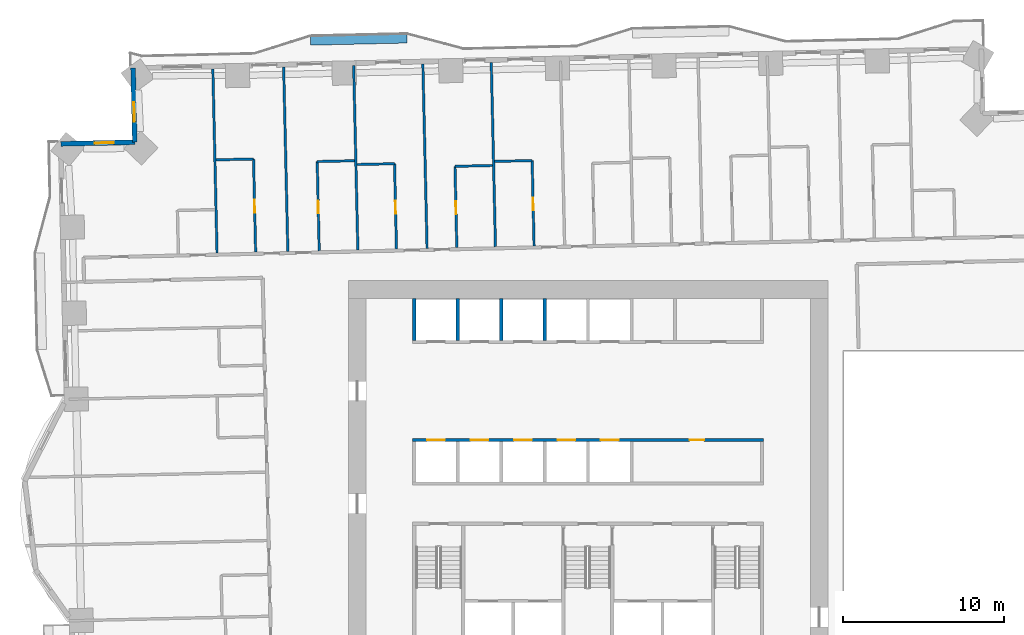
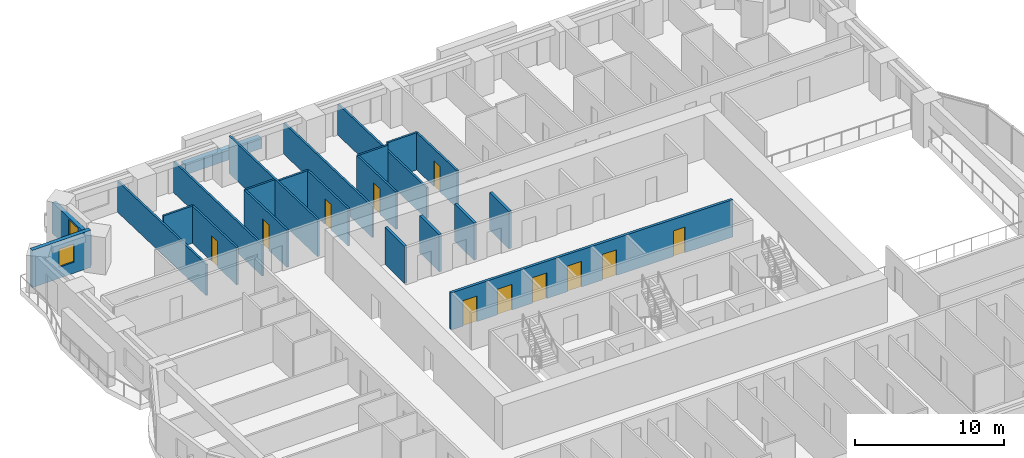
# One storey, part 9 of 16: 23 walls, 11 doors, 2 windows, 13 openings.
"""IFC4 building model written with IfcOpenShell, lengths in metres."""

from ifc_helpers import new_model, si_unit, direction, frame, frame_2d, origin, place, context, subcontext, project, spatial, rectangle, extrude, material, layer, layer_set, type_object, element, fill, save


model = new_model("IFC4")

# Units and contexts
model_context = context("Model", 3, precision=1e-05, world=origin(), true_north=direction((0.0, 1.0)))
body_context = subcontext(model_context, "Body", "Model", "MODEL_VIEW")
ifc_project = project(units=[si_unit("LENGTHUNIT", "METRE"), si_unit("AREAUNIT", "SQUARE_METRE"), si_unit("VOLUMEUNIT", "CUBIC_METRE"), si_unit("PLANEANGLEUNIT", "RADIAN"), si_unit("MASSUNIT", "GRAM", prefix="KILO")], contexts=[model_context])

# Site, building, storey
site_placement = place(None, origin())
site = spatial("IfcSite", under=ifc_project, at=site_placement, CompositionType="ELEMENT")
building_placement = place(site_placement, origin())
building = spatial("IfcBuilding", under=site, at=building_placement, Name="Mangrove Gate Tower", CompositionType="ELEMENT")
storey_placement = place(building_placement, frame((0.0, 0.0, 44.89990234375)))
storey = spatial("IfcBuildingStorey", under=building, at=storey_placement, Name="L10", CompositionType="ELEMENT", Elevation=44.89990234375)

# Wall, openings, doors
ifc_material_1 = material(Name="Concrete C70/85", Category="concrete")
ifc_layer_1 = layer(ifc_material_1, 0.199951171875)
ifc_layer_set_1 = layer_set([ifc_layer_1], Name="Core shaft wall 200 C70/85")
wall_type_1 = type_object("IfcWallType", Name="Core shaft wall 200 C70/85", PredefinedType="SHEAR", material=ifc_layer_set_1)
wall_1_placement = place(storey_placement, frame((-10.89990234375, 2.0, 0.0), z_axis=(0.0, 0.0, 1.0), x_axis=(1.0, 0.0, 0.0)))
wall_1 = element("IfcWall", 1, at=wall_1_placement, inside=storey, type_object=wall_type_1, Name="WALL-L10-CORE-7", PredefinedType="SHEAR", context=body_context, shape_type="SweptSolid", body=[
    extrude(rectangle(XDim=21.7998046875, YDim=0.199951171875, at=frame_2d((10.89990234375, 0.0))), origin(), (0.0, 0.0, 1.0), 3.050048828125),
])
opening_1_placement = place(wall_1_placement, frame((0.89990234375, 0.0, 0.0)))
opening_1 = element("IfcOpeningElement", 2, at=opening_1_placement, cuts=wall_1, Name="Opening LD", PredefinedType="OPENING", context=body_context, shape_type="SweptSolid", body=[
    extrude(rectangle(XDim=1.10009765625, YDim=2.10009765625, at=frame_2d((0.550048828125, 1.050048828125))), frame((0.0, 0.10986328125, 0.0), z_axis=(0.0, -1.0, 0.0), x_axis=(1.0, 0.0, 0.0)), (0.0, 0.0, 1.0), 0.219970703125),
])
opening_2_placement = place(wall_1_placement, frame((3.60009765625, 0.0, 0.0)))
opening_2 = element("IfcOpeningElement", 3, at=opening_2_placement, cuts=wall_1, Name="Opening LD", PredefinedType="OPENING", context=body_context, shape_type="SweptSolid", body=[
    extrude(rectangle(XDim=1.10009765625, YDim=2.10009765625, at=frame_2d((0.550048828125, 1.050048828125))), frame((0.0, 0.10986328125, 0.0), z_axis=(0.0, -1.0, 0.0), x_axis=(1.0, 0.0, 0.0)), (0.0, 0.0, 1.0), 0.219970703125),
])
opening_3_placement = place(wall_1_placement, frame((6.300048828125, 0.0, 0.0)))
opening_3 = element("IfcOpeningElement", 4, at=opening_3_placement, cuts=wall_1, Name="Opening LD", PredefinedType="OPENING", context=body_context, shape_type="SweptSolid", body=[
    extrude(rectangle(XDim=1.10009765625, YDim=2.10009765625, at=frame_2d((0.550048828125, 1.050048828125))), frame((0.0, 0.10986328125, 0.0), z_axis=(0.0, -1.0, 0.0), x_axis=(1.0, 0.0, 0.0)), (0.0, 0.0, 1.0), 0.219970703125),
])
opening_4_placement = place(wall_1_placement, frame((9.0, 0.0, 0.0)))
opening_4 = element("IfcOpeningElement", 5, at=opening_4_placement, cuts=wall_1, Name="Opening LD", PredefinedType="OPENING", context=body_context, shape_type="SweptSolid", body=[
    extrude(rectangle(XDim=1.10009765625, YDim=2.10009765625, at=frame_2d((0.550048828125, 1.050048828125))), frame((0.0, 0.10986328125, 0.0), z_axis=(0.0, -1.0, 0.0), x_axis=(1.0, 0.0, 0.0)), (0.0, 0.0, 1.0), 0.219970703125),
])
opening_5_placement = place(wall_1_placement, frame((11.699951171875, 0.0, 0.0)))
opening_5 = element("IfcOpeningElement", 6, at=opening_5_placement, cuts=wall_1, Name="Opening LD", PredefinedType="OPENING", context=body_context, shape_type="SweptSolid", body=[
    extrude(rectangle(XDim=1.10009765625, YDim=2.10009765625, at=frame_2d((0.550048828125, 1.050048828125))), frame((0.0, 0.10986328125, 0.0), z_axis=(0.0, -1.0, 0.0), x_axis=(1.0, 0.0, 0.0)), (0.0, 0.0, 1.0), 0.219970703125),
])
opening_6_placement = place(wall_1_placement, frame((17.199951171875, 0.0, 0.0)))
opening_6 = element("IfcOpeningElement", 7, at=opening_6_placement, cuts=wall_1, Name="Opening RD", PredefinedType="OPENING", context=body_context, shape_type="SweptSolid", body=[
    extrude(rectangle(XDim=0.89990234375, YDim=2.10009765625, at=frame_2d((0.449951171875, 1.050048828125))), frame((0.0, 0.10986328125, 0.0), z_axis=(0.0, -1.0, 0.0), x_axis=(1.0, 0.0, 0.0)), (0.0, 0.0, 1.0), 0.219970703125),
])
ifc_material_2 = material(Name="Stainless steel 316", Category="steel")
door_type_1 = type_object("IfcDoorType", Name="Lift landing door 1100x2100", OperationType="SLIDING_TO_LEFT", PredefinedType="DOOR", material=ifc_material_2)
door_1_placement = place(opening_1_placement, origin())
door_1 = element("IfcDoor", 8, at=door_1_placement, inside=storey, type_object=door_type_1, Name="Landing door LD P01", OperationType="SLIDING_TO_LEFT", OverallHeight=2.10009765625, OverallWidth=1.10009765625, PredefinedType="DOOR", context=body_context, shape_type="SweptSolid", body=[
    extrude(rectangle(XDim=1.10009765625, YDim=2.10009765625, at=frame_2d((0.550048828125, 1.050048828125))), frame((0.0, 0.02490234375, 0.0), z_axis=(0.0, -1.0, 0.0), x_axis=(1.0, 0.0, 0.0)), (0.0, 0.0, 1.0), 0.050048828125),
])
fill(opening_1, door_1)
door_2_placement = place(opening_2_placement, origin())
door_2 = element("IfcDoor", 9, at=door_2_placement, inside=storey, type_object=door_type_1, Name="Landing door LD P02", OperationType="SLIDING_TO_LEFT", OverallHeight=2.10009765625, OverallWidth=1.10009765625, PredefinedType="DOOR", context=body_context, shape_type="SweptSolid", body=[
    extrude(rectangle(XDim=1.10009765625, YDim=2.10009765625, at=frame_2d((0.550048828125, 1.050048828125))), frame((0.0, 0.02490234375, 0.0), z_axis=(0.0, -1.0, 0.0), x_axis=(1.0, 0.0, 0.0)), (0.0, 0.0, 1.0), 0.050048828125),
])
fill(opening_2, door_2)
door_3_placement = place(opening_3_placement, origin())
door_3 = element("IfcDoor", 10, at=door_3_placement, inside=storey, type_object=door_type_1, Name="Landing door LD P03", OperationType="SLIDING_TO_LEFT", OverallHeight=2.10009765625, OverallWidth=1.10009765625, PredefinedType="DOOR", context=body_context, shape_type="SweptSolid", body=[
    extrude(rectangle(XDim=1.10009765625, YDim=2.10009765625, at=frame_2d((0.550048828125, 1.050048828125))), frame((0.0, 0.02490234375, 0.0), z_axis=(0.0, -1.0, 0.0), x_axis=(1.0, 0.0, 0.0)), (0.0, 0.0, 1.0), 0.050048828125),
])
fill(opening_3, door_3)
door_4_placement = place(opening_4_placement, origin())
door_4 = element("IfcDoor", 11, at=door_4_placement, inside=storey, type_object=door_type_1, Name="Landing door LD P04", OperationType="SLIDING_TO_LEFT", OverallHeight=2.10009765625, OverallWidth=1.10009765625, PredefinedType="DOOR", context=body_context, shape_type="SweptSolid", body=[
    extrude(rectangle(XDim=1.10009765625, YDim=2.10009765625, at=frame_2d((0.550048828125, 1.050048828125))), frame((0.0, 0.02490234375, 0.0), z_axis=(0.0, -1.0, 0.0), x_axis=(1.0, 0.0, 0.0)), (0.0, 0.0, 1.0), 0.050048828125),
])
fill(opening_4, door_4)
door_5_placement = place(opening_5_placement, origin())
door_5 = element("IfcDoor", 12, at=door_5_placement, inside=storey, type_object=door_type_1, Name="Landing door LD P05", OperationType="SLIDING_TO_LEFT", OverallHeight=2.10009765625, OverallWidth=1.10009765625, PredefinedType="DOOR", context=body_context, shape_type="SweptSolid", body=[
    extrude(rectangle(XDim=1.10009765625, YDim=2.10009765625, at=frame_2d((0.550048828125, 1.050048828125))), frame((0.0, 0.02490234375, 0.0), z_axis=(0.0, -1.0, 0.0), x_axis=(1.0, 0.0, 0.0)), (0.0, 0.0, 1.0), 0.050048828125),
])
fill(opening_5, door_5)
ifc_material_3 = material(Name="Fire-rated steel door set", Category="steel")
door_type_2 = type_object("IfcDoorType", Name="Riser door FD30S 900x2100", OperationType="SINGLE_SWING_LEFT", PredefinedType="DOOR", material=ifc_material_3)
door_6_placement = place(opening_6_placement, origin())
door_6 = element("IfcDoor", 13, at=door_6_placement, inside=storey, type_object=door_type_2, Name="Riser door Electrical room", OperationType="SINGLE_SWING_LEFT", OverallHeight=2.10009765625, OverallWidth=0.89990234375, PredefinedType="DOOR", context=body_context, shape_type="SweptSolid", body=[
    extrude(rectangle(XDim=0.89990234375, YDim=2.10009765625, at=frame_2d((0.449951171875, 1.050048828125))), frame((0.0, 0.02490234375, 0.0), z_axis=(0.0, -1.0, 0.0), x_axis=(1.0, 0.0, 0.0)), (0.0, 0.0, 1.0), 0.050048828125),
])
fill(opening_6, door_6)

# Walls
for number, where, z_axis, x_axis, name in (
    (14, (-10.800048828125, 8.199951171875, 0.0), (0.0, 0.0, 1.0), (0.0, 1.0, 0.0), "WALL-L10-CORE-26"),
    (15, (-8.10009765625, 8.199951171875, 0.0), (0.0, 0.0, 1.0), (0.0, 1.0, 0.0), "WALL-L10-CORE-27"),
    (16, (-5.39990234375, 8.199951171875, 0.0), (0.0, 0.0, 1.0), (0.0, 1.0, 0.0), "WALL-L10-CORE-28"),
    (17, (-2.699951171875, 8.199951171875, 0.0), (0.0, 0.0, 1.0), (0.0, 1.0, 0.0), "WALL-L10-CORE-29"),
):
    element("IfcWall", number, at=place(storey_placement, frame(where, z_axis=z_axis, x_axis=x_axis)), inside=storey, type_object=wall_type_1, Name=name, PredefinedType="SHEAR", context=body_context, shape_type="SweptSolid", body=[
        extrude(rectangle(XDim=2.60009765625, YDim=0.199951171875, at=frame_2d((1.300048828125, 0.0))), origin(), (0.0, 0.0, 1.0), 3.050048828125),
    ])

# Wall, opening, window
ifc_material_4 = material(Name="Limestone", Category="masonry")
ifc_layer_2 = layer(ifc_material_4, 0.0400390625, Name="Limestone cladding")
ifc_material_5 = material(Name="Ventilated air gap")
ifc_layer_3 = layer(ifc_material_5, 0.0400390625, Name="Ventilated cavity")
ifc_material_6 = material(Name="Mineral wool insulation")
ifc_layer_4 = layer(ifc_material_6, 0.06005859375, Name="Insulation")
ifc_material_7 = material(Name="Breather membrane")
ifc_layer_5 = layer(ifc_material_7, 0.001953125, Name="Breather membrane")
ifc_material_8 = material(Name="Concrete C20/25 blockwork", Category="masonry")
ifc_layer_6 = layer(ifc_material_8, 0.14990234375, Name="Blockwork backing wall")
ifc_material_9 = material(Name="Gypsum plaster")
ifc_layer_7 = layer(ifc_material_9, 0.008056640625, Name="Internal plaster")
ifc_layer_set_2 = layer_set([ifc_layer_2, ifc_layer_3, ifc_layer_4, ifc_layer_5, ifc_layer_6, ifc_layer_7], Name="External wall 300 limestone cladding")
wall_type_2 = type_object("IfcWallType", Name="External wall 300 limestone cladding", PredefinedType="SOLIDWALL", material=ifc_layer_set_2)
wall_2_placement = place(storey_placement, frame((-28.263916015625, 25.10205078125, 0.0), z_axis=(0.0, 0.0, 1.0), x_axis=(0.022820258049, -0.999739584003, 0.0)))
wall_2 = element("IfcWall", 18, at=wall_2_placement, inside=storey, type_object=wall_type_2, Name="WALL-L10-W6", PredefinedType="SOLIDWALL", context=body_context, shape_type="SweptSolid", body=[
    extrude(rectangle(XDim=4.600341796875, YDim=0.300048828125, at=frame_2d((2.30029296875, 0.0))), origin(), (0.0, 0.0, 1.0), 2.550048828125),
])
opening_7_placement = place(wall_2_placement, frame((2.114013671875, 0.0, 0.89990234375)))
opening_7 = element("IfcOpeningElement", 19, at=opening_7_placement, cuts=wall_2, Name="Opening W1", PredefinedType="OPENING", context=body_context, shape_type="SweptSolid", body=[
    extrude(rectangle(XDim=1.199951171875, YDim=1.5, at=frame_2d((0.60009765625, 0.75))), frame((0.0, 0.159912109375, 0.0), z_axis=(0.0, -1.0, 0.0), x_axis=(1.0, 0.0, 0.0)), (0.0, 0.0, 1.0), 0.320068359375),
])
ifc_material_10 = material(Name="Aluminium frame with double-glazed low-e glass", Category="aluminium")
window_type = type_object("IfcWindowType", Name="Side lite 1200x1500", PartitioningType="SINGLE_PANEL", PredefinedType="WINDOW", material=ifc_material_10)
window_1_placement = place(opening_7_placement, origin())
window_1 = element("IfcWindow", 20, at=window_1_placement, inside=storey, type_object=window_type, Name="WIN-L10-W6-1", OverallHeight=1.5, OverallWidth=1.199951171875, PartitioningType="SINGLE_PANEL", PredefinedType="WINDOW", context=body_context, shape_type="SweptSolid", body=[
    extrude(rectangle(XDim=1.199951171875, YDim=1.5, at=frame_2d((0.60009765625, 0.75))), frame((0.0, 0.030029296875, 0.0), z_axis=(0.0, -1.0, 0.0), x_axis=(1.0, 0.0, 0.0)), (0.0, 0.0, 1.0), 0.06005859375),
])
fill(opening_7, window_1)

wall_3_placement = place(storey_placement, frame((-28.158935546875, 20.5029296875, 0.0), z_axis=(0.0, 0.0, 1.0), x_axis=(-0.999744404568, -0.02260808559, 0.0)))
wall_3 = element("IfcWall", 21, at=wall_3_placement, inside=storey, type_object=wall_type_2, Name="WALL-L10-N7", PredefinedType="SOLIDWALL", context=body_context, shape_type="SweptSolid", body=[
    extrude(rectangle(XDim=4.600341796875, YDim=0.300048828125, at=frame_2d((2.30029296875, 0.0))), origin(), (0.0, 0.0, 1.0), 3.050048828125),
])
opening_8_placement = place(wall_3_placement, frame((1.302001953125, 0.0, 0.89990234375)))
opening_8 = element("IfcOpeningElement", 22, at=opening_8_placement, cuts=wall_3, Name="Opening W1", PredefinedType="OPENING", context=body_context, shape_type="SweptSolid", body=[
    extrude(rectangle(XDim=1.199951171875, YDim=1.5, at=frame_2d((0.60009765625, 0.75))), frame((0.0, 0.159912109375, 0.0), z_axis=(0.0, -1.0, 0.0), x_axis=(1.0, 0.0, 0.0)), (0.0, 0.0, 1.0), 0.320068359375),
])
window_2_placement = place(opening_8_placement, origin())
window_2 = element("IfcWindow", 23, at=window_2_placement, inside=storey, type_object=window_type, Name="WIN-L10-N7-1", OverallHeight=1.5, OverallWidth=1.199951171875, PartitioningType="SINGLE_PANEL", PredefinedType="WINDOW", context=body_context, shape_type="SweptSolid", body=[
    extrude(rectangle(XDim=1.199951171875, YDim=1.5, at=frame_2d((0.60009765625, 0.75))), frame((0.0, 0.030029296875, 0.0), z_axis=(0.0, -1.0, 0.0), x_axis=(1.0, 0.0, 0.0)), (0.0, 0.0, 1.0), 0.06005859375),
])
fill(opening_8, window_2)

# Wall
ifc_material_11 = material(Name="Gypsum board on steel stud, EI 60", Category="steel")
ifc_layer_8 = layer(ifc_material_11, 0.14990234375)
ifc_layer_set_3 = layer_set([ifc_layer_8], Name="Party wall 150 EI 60")
wall_type_3 = type_object("IfcWallType", Name="Party wall 150 EI 60", PredefinedType="PARTITIONING", material=ifc_layer_set_3)
wall_4_placement = place(storey_placement, frame((-23.052001953125, 13.616943359375, 0.0), z_axis=(0.0, 0.0, 1.0), x_axis=(-0.022708327922, 0.999742132674, 0.0)))
element("IfcWall", 24, at=wall_4_placement, inside=storey, type_object=wall_type_3, Name="WALL-L10-063", PredefinedType="PARTITIONING", context=body_context, shape_type="SweptSolid", body=[
    extrude(rectangle(XDim=11.449951171875, YDim=0.14990234375, at=frame_2d((5.72509765625, 0.0))), origin(), (0.0, 0.0, 1.0), 2.550048828125),
])

# Wall, opening, door
wall_5_placement = place(storey_placement, frame((-20.653076171875, 13.672119140625, 0.0), z_axis=(0.0, 0.0, 1.0), x_axis=(-0.022603579342, 0.999744506462, 0.0)))
wall_5 = element("IfcWall", 25, at=wall_5_placement, inside=storey, type_object=wall_type_3, Name="WALL-L10-064", PredefinedType="PARTITIONING", context=body_context, shape_type="SweptSolid", body=[
    extrude(rectangle(XDim=5.789306640625, YDim=0.14990234375, at=frame_2d((2.89453125, 0.0))), origin(), (0.0, 0.0, 1.0), 3.050048828125),
])
opening_9_placement = place(wall_5_placement, frame((2.445068359375, 0.0, 0.0)))
opening_9 = element("IfcOpeningElement", 26, at=opening_9_placement, cuts=wall_5, Name="Opening ED", PredefinedType="OPENING", context=body_context, shape_type="SweptSolid", body=[
    extrude(rectangle(XDim=0.800048828125, YDim=2.10009765625, at=frame_2d((0.39990234375, 1.050048828125))), frame((0.0, 0.0849609375, 0.0), z_axis=(0.0, -1.0, 0.0), x_axis=(1.0, 0.0, 0.0)), (0.0, 0.0, 1.0), 0.169921875),
])
ifc_material_12 = material(Name="Timber door leaf", Category="wood")
door_type_3 = type_object("IfcDoorType", Name="En-suite door 800", OperationType="SINGLE_SWING_LEFT", PredefinedType="DOOR", material=ifc_material_12)
door_7_placement = place(opening_9_placement, origin())
door_7 = element("IfcDoor", 27, at=door_7_placement, inside=storey, type_object=door_type_3, Name="DOOR-L10-ENS-c519", OperationType="SINGLE_SWING_LEFT", OverallHeight=2.10009765625, OverallWidth=0.800048828125, PredefinedType="DOOR", context=body_context, shape_type="SweptSolid", body=[
    extrude(rectangle(XDim=0.800048828125, YDim=2.10009765625, at=frame_2d((0.39990234375, 1.050048828125))), frame((0.0, 0.02490234375, 0.0), z_axis=(0.0, -1.0, 0.0), x_axis=(1.0, 0.0, 0.0)), (0.0, 0.0, 1.0), 0.050048828125),
])
fill(opening_9, door_7)

# Wall
wall_6_placement = place(storey_placement, frame((-18.653076171875, 13.717041015625, 0.0), z_axis=(0.0, 0.0, 1.0), x_axis=(-0.022708327922, 0.999742132674, 0.0)))
element("IfcWall", 28, at=wall_6_placement, inside=storey, type_object=wall_type_3, Name="WALL-L10-065", PredefinedType="PARTITIONING", context=body_context, shape_type="SweptSolid", body=[
    extrude(rectangle(XDim=11.449951171875, YDim=0.14990234375, at=frame_2d((5.72509765625, 0.0))), origin(), (0.0, 0.0, 1.0), 2.550048828125),
])

# Wall, opening, door
wall_7_placement = place(storey_placement, frame((-16.7041015625, 13.760986328125, 0.0), z_axis=(0.0, 0.0, 1.0), x_axis=(-0.022561251624, 0.999745462568, 0.0)))
wall_7 = element("IfcWall", 29, at=wall_7_placement, inside=storey, type_object=wall_type_3, Name="WALL-L10-066", PredefinedType="PARTITIONING", context=body_context, shape_type="SweptSolid", body=[
    extrude(rectangle(XDim=5.54052734375, YDim=0.14990234375, at=frame_2d((2.770263671875, 0.0))), origin(), (0.0, 0.0, 1.0), 3.050048828125),
])
opening_10_placement = place(wall_7_placement, frame((2.320068359375, 0.0, 0.0)))
opening_10 = element("IfcOpeningElement", 30, at=opening_10_placement, cuts=wall_7, Name="Opening ED", PredefinedType="OPENING", context=body_context, shape_type="SweptSolid", body=[
    extrude(rectangle(XDim=0.800048828125, YDim=2.10009765625, at=frame_2d((0.39990234375, 1.050048828125))), frame((0.0, 0.0849609375, 0.0), z_axis=(0.0, -1.0, 0.0), x_axis=(1.0, 0.0, 0.0)), (0.0, 0.0, 1.0), 0.169921875),
])
door_8_placement = place(opening_10_placement, origin())
door_8 = element("IfcDoor", 31, at=door_8_placement, inside=storey, type_object=door_type_3, Name="DOOR-L10-ENS-c518", OperationType="SINGLE_SWING_RIGHT", OverallHeight=2.10009765625, OverallWidth=0.800048828125, PredefinedType="DOOR", context=body_context, shape_type="SweptSolid", body=[
    extrude(rectangle(XDim=0.800048828125, YDim=2.10009765625, at=frame_2d((0.39990234375, 1.050048828125))), frame((0.0, 0.02490234375, 0.0), z_axis=(0.0, -1.0, 0.0), x_axis=(1.0, 0.0, 0.0)), (0.0, 0.0, 1.0), 0.050048828125),
])
fill(opening_10, door_8)

# Wall
wall_8_placement = place(storey_placement, frame((-14.303955078125, 13.81591796875, 0.0), z_axis=(0.0, 0.0, 1.0), x_axis=(-0.022708327922, 0.999742132674, 0.0)))
element("IfcWall", 32, at=wall_8_placement, inside=storey, type_object=wall_type_3, Name="WALL-L10-067", PredefinedType="PARTITIONING", context=body_context, shape_type="SweptSolid", body=[
    extrude(rectangle(XDim=11.449951171875, YDim=0.14990234375, at=frame_2d((5.72509765625, 0.0))), origin(), (0.0, 0.0, 1.0), 3.050048828125),
])

# Wall, opening, door
wall_9_placement = place(storey_placement, frame((-11.905029296875, 13.8701171875, 0.0), z_axis=(0.0, 0.0, 1.0), x_axis=(-0.022616771387, 0.999744208111, 0.0)))
wall_9 = element("IfcWall", 33, at=wall_9_placement, inside=storey, type_object=wall_type_3, Name="WALL-L10-068", PredefinedType="PARTITIONING", context=body_context, shape_type="SweptSolid", body=[
    extrude(rectangle(XDim=5.30029296875, YDim=0.14990234375, at=frame_2d((2.650146484375, 0.0))), origin(), (0.0, 0.0, 1.0), 3.050048828125),
])
opening_11_placement = place(wall_9_placement, frame((2.199951171875, 0.0, 0.0)))
opening_11 = element("IfcOpeningElement", 34, at=opening_11_placement, cuts=wall_9, Name="Opening ED", PredefinedType="OPENING", context=body_context, shape_type="SweptSolid", body=[
    extrude(rectangle(XDim=0.800048828125, YDim=2.10009765625, at=frame_2d((0.39990234375, 1.050048828125))), frame((0.0, 0.0849609375, 0.0), z_axis=(0.0, -1.0, 0.0), x_axis=(1.0, 0.0, 0.0)), (0.0, 0.0, 1.0), 0.169921875),
])
door_9_placement = place(opening_11_placement, origin())
door_9 = element("IfcDoor", 35, at=door_9_placement, inside=storey, type_object=door_type_3, Name="DOOR-L10-ENS-c517", OperationType="SINGLE_SWING_LEFT", OverallHeight=2.10009765625, OverallWidth=0.800048828125, PredefinedType="DOOR", context=body_context, shape_type="SweptSolid", body=[
    extrude(rectangle(XDim=0.800048828125, YDim=2.10009765625, at=frame_2d((0.39990234375, 1.050048828125))), frame((0.0, 0.02490234375, 0.0), z_axis=(0.0, -1.0, 0.0), x_axis=(1.0, 0.0, 0.0)), (0.0, 0.0, 1.0), 0.050048828125),
])
fill(opening_11, door_9)

# Wall
wall_10_placement = place(storey_placement, frame((-10.0048828125, 13.9130859375, 0.0), z_axis=(0.0, 0.0, 1.0), x_axis=(-0.022706391805, 0.999742176649, 0.0)))
element("IfcWall", 36, at=wall_10_placement, inside=storey, type_object=wall_type_3, Name="WALL-L10-069", PredefinedType="PARTITIONING", context=body_context, shape_type="SweptSolid", body=[
    extrude(rectangle(XDim=11.450927734375, YDim=0.14990234375, at=frame_2d((5.7255859375, 0.0))), origin(), (0.0, 0.0, 1.0), 2.550048828125),
])

# Wall, opening, door
wall_11_placement = place(storey_placement, frame((-8.156005859375, 13.955078125, 0.0), z_axis=(0.0, 0.0, 1.0), x_axis=(-0.022576449265, 0.999745119487, 0.0)))
wall_11 = element("IfcWall", 37, at=wall_11_placement, inside=storey, type_object=wall_type_3, Name="WALL-L10-070", PredefinedType="PARTITIONING", context=body_context, shape_type="SweptSolid", body=[
    extrude(rectangle(XDim=5.050048828125, YDim=0.14990234375, at=frame_2d((2.52490234375, 0.0))), origin(), (0.0, 0.0, 1.0), 3.050048828125),
])
opening_12_placement = place(wall_11_placement, frame((2.074951171875, 0.0, 0.0)))
opening_12 = element("IfcOpeningElement", 38, at=opening_12_placement, cuts=wall_11, Name="Opening ED", PredefinedType="OPENING", context=body_context, shape_type="SweptSolid", body=[
    extrude(rectangle(XDim=0.800048828125, YDim=2.10009765625, at=frame_2d((0.39990234375, 1.050048828125))), frame((0.0, 0.0849609375, 0.0), z_axis=(0.0, -1.0, 0.0), x_axis=(1.0, 0.0, 0.0)), (0.0, 0.0, 1.0), 0.169921875),
])
door_10_placement = place(opening_12_placement, origin())
door_10 = element("IfcDoor", 39, at=door_10_placement, inside=storey, type_object=door_type_3, Name="DOOR-L10-ENS-c416", OperationType="SINGLE_SWING_RIGHT", OverallHeight=2.10009765625, OverallWidth=0.800048828125, PredefinedType="DOOR", context=body_context, shape_type="SweptSolid", body=[
    extrude(rectangle(XDim=0.800048828125, YDim=2.10009765625, at=frame_2d((0.39990234375, 1.050048828125))), frame((0.0, 0.02490234375, 0.0), z_axis=(0.0, -1.0, 0.0), x_axis=(1.0, 0.0, 0.0)), (0.0, 0.0, 1.0), 0.050048828125),
])
fill(opening_12, door_10)

# Wall
wall_12_placement = place(storey_placement, frame((-5.756103515625, 14.010009765625, 0.0), z_axis=(0.0, 0.0, 1.0), x_axis=(-0.022708327922, 0.999742132674, 0.0)))
element("IfcWall", 40, at=wall_12_placement, inside=storey, type_object=wall_type_3, Name="WALL-L10-071", PredefinedType="PARTITIONING", context=body_context, shape_type="SweptSolid", body=[
    extrude(rectangle(XDim=11.449951171875, YDim=0.14990234375, at=frame_2d((5.72509765625, 0.0))), origin(), (0.0, 0.0, 1.0), 2.550048828125),
])

# Wall, opening, door
wall_13_placement = place(storey_placement, frame((-3.35693359375, 14.06396484375, 0.0), z_axis=(0.0, 0.0, 1.0), x_axis=(-0.022661766832, 0.999743189186, 0.0)))
wall_13 = element("IfcWall", 41, at=wall_13_placement, inside=storey, type_object=wall_type_3, Name="WALL-L10-072", PredefinedType="PARTITIONING", context=body_context, shape_type="SweptSolid", body=[
    extrude(rectangle(XDim=5.300537109375, YDim=0.14990234375, at=frame_2d((2.650390625, 0.0))), origin(), (0.0, 0.0, 1.0), 3.050048828125),
])
opening_13_placement = place(wall_13_placement, frame((2.199951171875, 0.0, 0.0)))
opening_13 = element("IfcOpeningElement", 42, at=opening_13_placement, cuts=wall_13, Name="Opening ED", PredefinedType="OPENING", context=body_context, shape_type="SweptSolid", body=[
    extrude(rectangle(XDim=0.800048828125, YDim=2.10009765625, at=frame_2d((0.39990234375, 1.050048828125))), frame((0.0, 0.0849609375, 0.0), z_axis=(0.0, -1.0, 0.0), x_axis=(1.0, 0.0, 0.0)), (0.0, 0.0, 1.0), 0.169921875),
])
door_11_placement = place(opening_13_placement, origin())
door_11 = element("IfcDoor", 43, at=door_11_placement, inside=storey, type_object=door_type_3, Name="DOOR-L10-ENS-c415", OperationType="SINGLE_SWING_LEFT", OverallHeight=2.10009765625, OverallWidth=0.800048828125, PredefinedType="DOOR", context=body_context, shape_type="SweptSolid", body=[
    extrude(rectangle(XDim=0.800048828125, YDim=2.10009765625, at=frame_2d((0.39990234375, 1.050048828125))), frame((0.0, 0.02490234375, 0.0), z_axis=(0.0, -1.0, 0.0), x_axis=(1.0, 0.0, 0.0)), (0.0, 0.0, 1.0), 0.050048828125),
])
fill(opening_13, door_11)

# Walls
wall_14_placement = place(storey_placement, frame((-8.27001953125, 19.00390625, 0.0), z_axis=(0.0, 0.0, 1.0), x_axis=(0.999740260747, 0.02279059109, 0.0)))
element("IfcWall", 44, at=wall_14_placement, inside=storey, type_object=wall_type_3, Name="WALL-L10-087", PredefinedType="PARTITIONING", context=body_context, shape_type="SweptSolid", body=[
    extrude(rectangle(XDim=2.324462890625, YDim=0.14990234375, at=frame_2d((1.162109375, 0.0))), origin(), (0.0, 0.0, 1.0), 3.050048828125),
])
wall_15_placement = place(storey_placement, frame((-14.34912109375, 19.115966796875, 0.0), z_axis=(0.0, 0.0, 1.0), x_axis=(0.99974031529, 0.022788198363, 0.0)))
element("IfcWall", 45, at=wall_15_placement, inside=storey, type_object=wall_type_3, Name="WALL-L10-089", PredefinedType="PARTITIONING", context=body_context, shape_type="SweptSolid", body=[
    extrude(rectangle(XDim=2.32470703125, YDim=0.14990234375, at=frame_2d((1.162353515625, 0.0))), origin(), (0.0, 0.0, 1.0), 3.050048828125),
])
wall_16_placement = place(storey_placement, frame((-5.802001953125, 19.31005859375, 0.0), z_axis=(0.0, 0.0, 1.0), x_axis=(0.999740478815, 0.022781023197, 0.0)))
element("IfcWall", 46, at=wall_16_placement, inside=storey, type_object=wall_type_3, Name="WALL-L10-090", PredefinedType="PARTITIONING", context=body_context, shape_type="SweptSolid", body=[
    extrude(rectangle(XDim=2.325439453125, YDim=0.14990234375, at=frame_2d((1.16259765625, 0.0))), origin(), (0.0, 0.0, 1.0), 3.050048828125),
])
wall_17_placement = place(storey_placement, frame((-16.8291015625, 19.300048828125, 0.0), z_axis=(0.0, 0.0, 1.0), x_axis=(0.99974031529, 0.022788198363, 0.0)))
element("IfcWall", 47, at=wall_17_placement, inside=storey, type_object=wall_type_3, Name="WALL-L10-093", PredefinedType="PARTITIONING", context=body_context, shape_type="SweptSolid", body=[
    extrude(rectangle(XDim=2.32470703125, YDim=0.14990234375, at=frame_2d((1.162353515625, 0.0))), origin(), (0.0, 0.0, 1.0), 3.050048828125),
])
wall_18_placement = place(storey_placement, frame((-23.10791015625, 19.406982421875, 0.0), z_axis=(0.0, 0.0, 1.0), x_axis=(0.999740260747, 0.02279059109, 0.0)))
element("IfcWall", 48, at=wall_18_placement, inside=storey, type_object=wall_type_3, Name="WALL-L10-094", PredefinedType="PARTITIONING", context=body_context, shape_type="SweptSolid", body=[
    extrude(rectangle(XDim=2.324462890625, YDim=0.14990234375, at=frame_2d((1.162109375, 0.0))), origin(), (0.0, 0.0, 1.0), 3.050048828125),
])
ifc_material_13 = material(Name="Concrete C32/40", Category="concrete")
ifc_layer_9 = layer(ifc_material_13, 0.199951171875, Name="Planter trough wall")
ifc_material_14 = material(Name="Bituminous waterproofing membrane")
ifc_layer_10 = layer(ifc_material_14, 0.0048828125, Name="Waterproofing")
ifc_material_15 = material(Name="Drainage board and gravel")
ifc_layer_11 = layer(ifc_material_15, 0.044921875, Name="Drainage layer")
ifc_material_16 = material(Name="Planting soil")
ifc_layer_12 = layer(ifc_material_16, 0.300048828125, Name="Growing medium")
ifc_layer_set_4 = layer_set([ifc_layer_9, ifc_layer_10, ifc_layer_11, ifc_layer_12], Name="Planter wall 550 C32/40")
wall_type_4 = type_object("IfcWallType", Name="Planter wall 550 C32/40", PredefinedType="USERDEFINED", material=ifc_layer_set_4)
wall_19_placement = place(storey_placement, frame((-17.2490234375, 26.802001953125, 0.0), z_axis=(0.0, 0.0, 1.0), x_axis=(0.999743094499, 0.022665943652, 0.0)))
element("IfcWall", 49, at=wall_19_placement, inside=storey, type_object=wall_type_4, Name="PLANTER L10 N1.1", ObjectType="PLANTER", PredefinedType="USERDEFINED", context=body_context, shape_type="SweptSolid", body=[
    extrude(rectangle(XDim=5.99951171875, YDim=0.550048828125, at=frame_2d((2.999755859375, 0.0))), origin(), (0.0, 0.0, 1.0), 0.800048828125),
])

save(model, "model.ifc")
